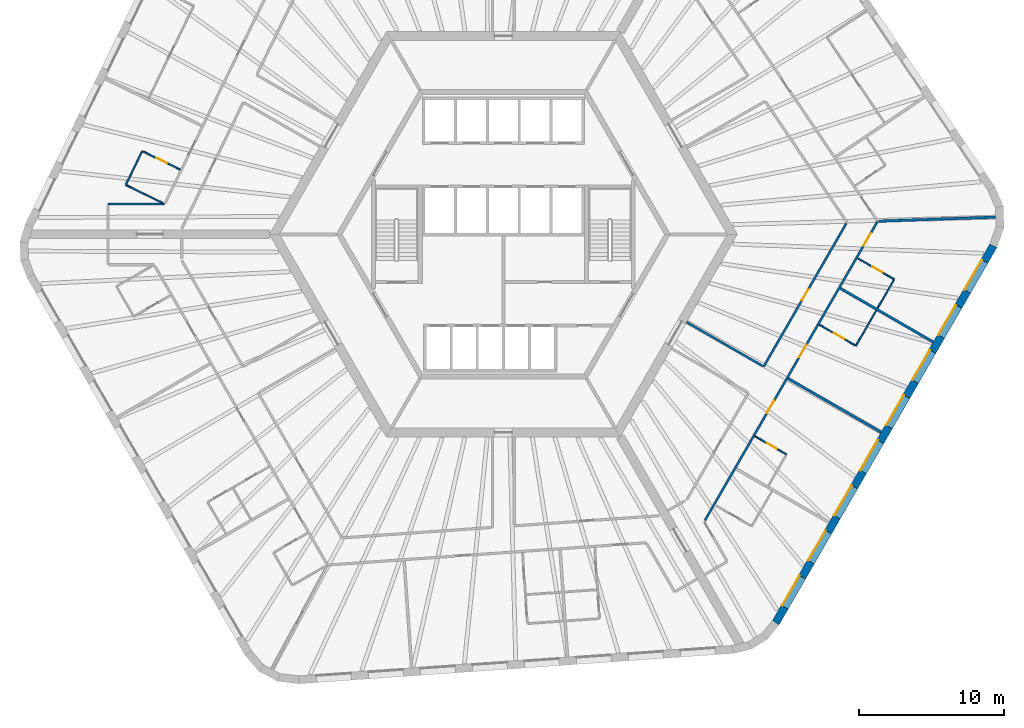
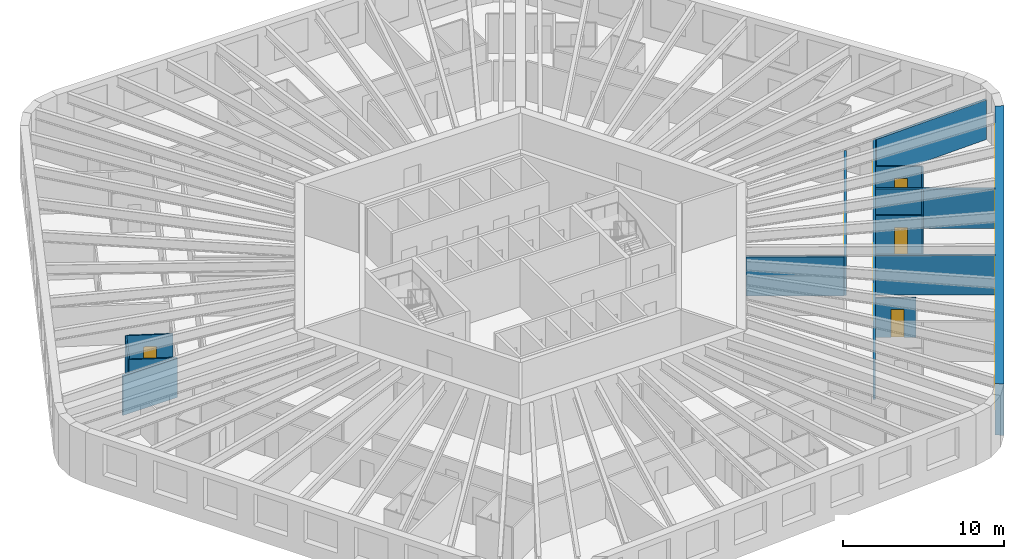
# One storey, part 6 of 11: 16 walls, 8 doors, 8 windows, 16 openings.
"""IFC4 building model written with IfcOpenShell, lengths in metres."""

import ifcopenshell
import ifcopenshell.guid

model = None  # the IFC model being written
_history = None  # IfcOwnerHistory: only IFC2X3 demands one
_inside = {}  # id of a spatial element -> (the spatial element, [elements in it])
_under = {}  # id of a project, library or spatial element -> (it, [spatial elements below it])
_declared = {}  # id of a project -> (the project, [libraries it declares])
_typed = {}  # id of a type object -> (the type object, [elements of that type])
_made_of = {}  # id of a material, layer set ... -> (it, [elements and type objects made of it])


def new_model(schema):
    """Start an empty IFC model of exactly this schema.

    Asked for "IFC4X3", IfcOpenShell would pick the latest addendum, in which some entities
    have other attributes; the version numbers below select the first issue.
    IFC2X3 requires an IfcOwnerHistory on every rooted entity: one is made here for all.
    """
    global model, _history
    if schema == "IFC4X3":
        model = ifcopenshell.file(schema_version=(4, 3, 0, 0))
    else:
        model = ifcopenshell.file(schema=schema)
    _inside.clear()
    _under.clear()
    _declared.clear()
    _typed.clear()
    _made_of.clear()
    _history = None
    if model.schema == "IFC2X3":
        org = make("IfcOrganization", Name="unknown")
        user = make(
            "IfcPersonAndOrganization",
            ThePerson=make("IfcPerson", FamilyName="unknown"),
            TheOrganization=org,
        )
        app = make(
            "IfcApplication",
            ApplicationDeveloper=org,
            Version="unknown",
            ApplicationFullName="unknown",
            ApplicationIdentifier="unknown",
        )
        _history = make(
            "IfcOwnerHistory",
            OwningUser=user,
            OwningApplication=app,
            ChangeAction="ADDED",
            CreationDate=0,
        )
    return model


def make(cls, **values):
    """One entity of the class cls with the attributes given. An attribute that is None is left unset."""
    return model.create_entity(
        cls, **{name: value for name, value in values.items() if value is not None}
    )


def rooted(cls, **values):
    """An entity with a GlobalId (a new one), such as an element, a storey or a relation."""
    return make(cls, GlobalId=ifcopenshell.guid.new(), OwnerHistory=_history, **values)


def si_unit(unit_type, name, prefix=None):
    """IfcSIUnit, for example si_unit("LENGTHUNIT", "METRE", prefix="MILLI")."""
    return make("IfcSIUnit", UnitType=unit_type, Prefix=prefix, Name=name)


def assignment(units):
    """IfcUnitAssignment: the units of a project."""
    return None if units is None else make("IfcUnitAssignment", Units=units)


def point(xyz):
    """IfcCartesianPoint."""
    return None if xyz is None else make("IfcCartesianPoint", Coordinates=xyz)


def direction(xyz):
    """IfcDirection."""
    return None if xyz is None else make("IfcDirection", DirectionRatios=xyz)


def frame(location, z_axis=None, x_axis=None):
    """IfcAxis2Placement3D, a coordinate frame: its origin and axes. An axis left out is left unset."""
    return make(
        "IfcAxis2Placement3D",
        Location=point(location),
        Axis=direction(z_axis),
        RefDirection=direction(x_axis),
    )


def frame_2d(location, x_axis=None):
    """IfcAxis2Placement2D, a coordinate frame in the plane: its origin and x axis."""
    return make(
        "IfcAxis2Placement2D", Location=point(location), RefDirection=direction(x_axis)
    )


def origin():
    """The frame at (0, 0, 0) with its axes left unset."""
    return frame((0.0, 0.0, 0.0))


def place(relative_to, where):
    """IfcLocalPlacement: puts the frame where relative to a parent placement (None: the world)."""
    return make(
        "IfcLocalPlacement", PlacementRelTo=relative_to, RelativePlacement=where
    )


def context(
    kind, dimensions, precision=None, world=None, true_north=None, identifier=None
):
    """IfcGeometricRepresentationContext, for example the 3D "Model" context."""
    return make(
        "IfcGeometricRepresentationContext",
        ContextIdentifier=identifier,
        ContextType=kind,
        CoordinateSpaceDimension=dimensions,
        Precision=precision,
        WorldCoordinateSystem=world,
        TrueNorth=true_north,
    )


def subcontext(parent, identifier, kind, view, scale=None):
    """IfcGeometricRepresentationSubContext, for example "Body" below "Model"."""
    return make(
        "IfcGeometricRepresentationSubContext",
        ContextIdentifier=identifier,
        ContextType=kind,
        ParentContext=parent,
        TargetScale=scale,
        TargetView=view,
    )


def project(units=None, contexts=None):
    """IfcProject with its units and contexts."""
    return rooted(
        "IfcProject",
        Name="project",
        RepresentationContexts=contexts,
        UnitsInContext=assignment(units),
    )


def spatial(cls, under=None, at=None, **own):
    """A site, building, storey or space (cls), placed at a placement, below another one or the project."""
    s = rooted(cls, ObjectPlacement=at, **own)
    if under is not None:
        _under.setdefault(under.id(), (under, []))[1].append(s)
    return s


def polyline(points):
    """IfcPolyline through the points."""
    return make("IfcPolyline", Points=[point(p) for p in points])


def profile(cls, at=None, kind="AREA", **sizes):
    """A parametric profile (cls). Its sizes go by their IFC names, for example OverallWidth=200.0."""
    return make(cls, ProfileType=kind, Position=at, **sizes)


def rectangle(**sizes):
    """IfcRectangleProfileDef."""
    return profile("IfcRectangleProfileDef", **sizes)


def outline(outer, holes=None, kind="AREA"):
    """IfcArbitraryClosedProfileDef: a profile drawn as a closed curve; with holes, ...WithVoids."""
    if holes is None:
        return make("IfcArbitraryClosedProfileDef", ProfileType=kind, OuterCurve=outer)
    return make(
        "IfcArbitraryProfileDefWithVoids",
        ProfileType=kind,
        OuterCurve=outer,
        InnerCurves=holes,
    )


def extrude(swept, where, along, depth):
    """IfcExtrudedAreaSolid: the profile swept, set in the frame where, extruded along a direction by depth."""
    return make(
        "IfcExtrudedAreaSolid",
        SweptArea=swept,
        Position=where,
        ExtrudedDirection=direction(along),
        Depth=depth,
    )


def shape(context_of_items, identifier, shape_type, items):
    """IfcShapeRepresentation: the items that make up one representation, for example the "Body"."""
    return make(
        "IfcShapeRepresentation",
        ContextOfItems=context_of_items,
        RepresentationIdentifier=identifier,
        RepresentationType=shape_type,
        Items=items,
    )


def material(Name=None, Category=None):
    """IfcMaterial."""
    return make("IfcMaterial", Name=Name, Category=Category)


def layer(
    of_material, thickness, ventilated=None, Name=None, Category=None, Priority=None
):
    """IfcMaterialLayer: one layer of a wall or slab, of a material (None: an air gap)."""
    return make(
        "IfcMaterialLayer",
        Material=of_material,
        LayerThickness=thickness,
        IsVentilated=ventilated,
        Name=Name,
        Category=Category,
        Priority=Priority,
    )


def layer_set(layers, Name=None):
    """IfcMaterialLayerSet."""
    return make("IfcMaterialLayerSet", MaterialLayers=layers, LayerSetName=Name)


def made_of(thing, what):
    """Note that an element or type object is made of a material, layer set ...; save() writes the relation."""
    if what is not None:
        _made_of.setdefault(what.id(), (what, []))[1].append(thing)
    return thing


def type_object(cls, material=None, **own):
    """A type object (cls), such as IfcWallType, which elements share."""
    return made_of(rooted(cls, **own), material)


def element(
    cls,
    number,
    at=None,
    inside=None,
    cuts=None,
    type_object=None,
    material=None,
    context=None,
    identifier="Body",
    shape_type=None,
    held_by="IfcProductDefinitionShape",
    body=None,
    shapes=None,
    **own,
):
    """One element of the class cls, such as IfcWall. Its Tag is "e" and its number.

    at: its placement. inside: the storey or other place that contains it. cuts: it is an
    opening in that element (IfcRelVoidsElement). A single representation is given by context,
    identifier, shape_type and body (its items); several are given by shapes. held_by: the class
    of the entity that holds the representations. save() writes the other relations.
    """
    e = rooted(cls, Tag="e%d" % number, ObjectPlacement=at, **own)
    if body is not None:
        shapes = [shape(context, identifier, shape_type, body)]
    if shapes is not None:
        e.Representation = make(held_by, Representations=shapes)
    if inside is not None:
        _inside.setdefault(inside.id(), (inside, []))[1].append(e)
    if cuts is not None:
        rooted(
            "IfcRelVoidsElement", RelatingBuildingElement=cuts, RelatedOpeningElement=e
        )
    if type_object is not None:
        _typed.setdefault(type_object.id(), (type_object, []))[1].append(e)
    return made_of(e, material)


def fill(opening, filler):
    """IfcRelFillsElement: the door or window that sits in an opening."""
    return rooted(
        "IfcRelFillsElement",
        RelatingOpeningElement=opening,
        RelatedBuildingElement=filler,
    )


def aggregate(whole, parts):
    """IfcRelAggregates: a whole, such as a stair, and the parts it consists of."""
    return rooted("IfcRelAggregates", RelatingObject=whole, RelatedObjects=parts)


def save(model, path):
    """Write the relations noted so far, then the file.

    IfcRelAggregates (storeys below a building ...), IfcRelContainedInSpatialStructure (elements
    in a storey), IfcRelDefinesByType, IfcRelAssociatesMaterial and IfcRelDeclares: one each for
    every whole, place, type object, material and project.
    """
    for whole, parts in _under.values():
        aggregate(whole, parts)
    for where, things in _inside.values():
        rooted(
            "IfcRelContainedInSpatialStructure",
            RelatedElements=things,
            RelatingStructure=where,
        )
    for kind, things in _typed.values():
        rooted("IfcRelDefinesByType", RelatedObjects=things, RelatingType=kind)
    for what, things in _made_of.values():
        rooted("IfcRelAssociatesMaterial", RelatedObjects=things, RelatingMaterial=what)
    for by, libraries in _declared.values():
        rooted("IfcRelDeclares", RelatingContext=by, RelatedDefinitions=libraries)
    model.write(path)


model = new_model("IFC4")

# Units and contexts
model_context = context("Model", 3, precision=1e-05, world=origin(), true_north=direction((0.0, 1.0)))
body_context = subcontext(model_context, "Body", "Model", "MODEL_VIEW")
ifc_project = project(units=[si_unit("LENGTHUNIT", "METRE"), si_unit("AREAUNIT", "SQUARE_METRE"), si_unit("VOLUMEUNIT", "CUBIC_METRE"), si_unit("PLANEANGLEUNIT", "RADIAN"), si_unit("MASSUNIT", "GRAM", prefix="KILO")], contexts=[model_context])

# Site, building, storey
site_placement = place(None, origin())
site = spatial("IfcSite", under=ifc_project, at=site_placement, CompositionType="ELEMENT")
building_placement = place(site_placement, origin())
building = spatial("IfcBuilding", under=site, at=building_placement, Name="Tarnside Tower", CompositionType="ELEMENT")
storey_placement = place(building_placement, frame((0.0, 0.0, 45.300048828125)))
storey = spatial("IfcBuildingStorey", under=building, at=storey_placement, Name="L08", CompositionType="ELEMENT", Elevation=45.300048828125)

# Walls
ifc_material_1 = material(Name="Gypsum board partition on steel studs", Category="steel")
ifc_layer_1 = layer(ifc_material_1, 0.10009765625)
ifc_layer_set_1 = layer_set([ifc_layer_1], Name="Bathroom wall 100")
wall_type_1 = type_object("IfcWallType", Name="Bathroom wall 100", PredefinedType="PARTITIONING", material=ifc_layer_set_1)
wall_1_placement = place(storey_placement, frame((-23.551025390625, 2.175048828125, 0.0), z_axis=(0.0, 0.0, 1.0), x_axis=(-0.89881903386, 0.438319910991, 0.0)))
element("IfcWall", 1, at=wall_1_placement, inside=storey, type_object=wall_type_1, Name="Bathroom wall 01097", PredefinedType="PARTITIONING", context=body_context, shape_type="SweptSolid", body=[
    extrude(rectangle(XDim=2.828857421875, YDim=0.10009765625, at=frame_2d((1.41455078125, 0.0))), origin(), (0.0, 0.0, 1.0), 2.98779296875),
])
wall_2_placement = place(storey_placement, frame((-26.07177734375, 3.4599609375, 0.0), z_axis=(0.0, 0.0, 1.0), x_axis=(0.438306676818, 0.898825487543, 0.0)))
element("IfcWall", 2, at=wall_2_placement, inside=storey, type_object=wall_type_1, Name="Bathroom wall 01098", PredefinedType="PARTITIONING", context=body_context, shape_type="SweptSolid", body=[
    extrude(rectangle(XDim=2.550048828125, YDim=0.10009765625, at=frame_2d((1.27490234375, 0.0))), origin(), (0.0, 0.0, 1.0), 2.98779296875),
])

# Wall, opening, door
wall_3_placement = place(storey_placement, frame((-24.908935546875, 5.72998046875, 0.0), z_axis=(0.0, 0.0, 1.0), x_axis=(0.898799457159, -0.438360052708, 0.0)))
wall_3 = element("IfcWall", 3, at=wall_3_placement, inside=storey, type_object=wall_type_1, Name="Bathroom wall 01099", PredefinedType="PARTITIONING", context=body_context, shape_type="SweptSolid", body=[
    extrude(rectangle(XDim=2.875, YDim=0.10009765625, at=frame_2d((1.4375, 0.0))), origin(), (0.0, 0.0, 1.0), 2.98779296875),
])
opening_1_placement = place(wall_3_placement, frame((1.050048828125, 0.0, 0.0)))
opening_1 = element("IfcOpeningElement", 4, at=opening_1_placement, cuts=wall_3, Name="Opening D-B1", PredefinedType="OPENING", context=body_context, shape_type="SweptSolid", body=[
    extrude(rectangle(XDim=0.800048828125, YDim=2.10009765625, at=frame_2d((0.39990234375, 1.050048828125))), frame((0.0, 0.06005859375, 0.0), z_axis=(0.0, -1.0, 0.0), x_axis=(1.0, 0.0, 0.0)), (0.0, 0.0, 1.0), 0.1201171875),
])
ifc_material_2 = material(Name="Timber door leaf", Category="wood")
door_type_1 = type_object("IfcDoorType", Name="Bathroom door 800", OperationType="NOTDEFINED", PredefinedType="DOOR", material=ifc_material_2)
door_1_placement = place(opening_1_placement, origin())
door_1 = element("IfcDoor", 5, at=door_1_placement, inside=storey, type_object=door_type_1, Name="Bathroom door 01012", OperationType="SINGLE_SWING_RIGHT", OverallHeight=2.10009765625, OverallWidth=0.800048828125, PredefinedType="DOOR", context=body_context, shape_type="SweptSolid", body=[
    extrude(rectangle(XDim=0.800048828125, YDim=2.10009765625, at=frame_2d((0.39990234375, 1.050048828125))), frame((0.0, 0.02490234375, 0.0), z_axis=(0.0, -1.0, 0.0), x_axis=(1.0, 0.0, 0.0)), (0.0, 0.0, 1.0), 0.050048828125),
])
fill(opening_1, door_1)

wall_4_placement = place(storey_placement, frame((17.379638671875, -13.947509765625, 0.0), z_axis=(0.0, 0.0, 1.0), x_axis=(0.866039067339, -0.499976333282, 0.0)))
wall_4 = element("IfcWall", 6, at=wall_4_placement, inside=storey, type_object=wall_type_1, Name="Bathroom wall 01132", PredefinedType="PARTITIONING", context=body_context, shape_type="SweptSolid", body=[
    extrude(rectangle(XDim=2.52490234375, YDim=0.10009765625, at=frame_2d((1.262451171875, 0.0))), origin(), (0.0, 0.0, 1.0), 2.98779296875),
])
opening_2_placement = place(wall_4_placement, frame((0.955078125, 0.0, 0.0)))
opening_2 = element("IfcOpeningElement", 7, at=opening_2_placement, cuts=wall_4, Name="Opening D-B1", PredefinedType="OPENING", context=body_context, shape_type="SweptSolid", body=[
    extrude(rectangle(XDim=0.800048828125, YDim=2.10009765625, at=frame_2d((0.39990234375, 1.050048828125))), frame((0.0, 0.06005859375, 0.0), z_axis=(0.0, -1.0, 0.0), x_axis=(1.0, 0.0, 0.0)), (0.0, 0.0, 1.0), 0.1201171875),
])
door_2_placement = place(opening_2_placement, origin())
door_2 = element("IfcDoor", 8, at=door_2_placement, inside=storey, type_object=door_type_1, Name="Bathroom door 01030", OperationType="SINGLE_SWING_LEFT", OverallHeight=2.10009765625, OverallWidth=0.800048828125, PredefinedType="DOOR", context=body_context, shape_type="SweptSolid", body=[
    extrude(rectangle(XDim=0.800048828125, YDim=2.10009765625, at=frame_2d((0.39990234375, 1.050048828125))), frame((0.0, 0.02490234375, 0.0), z_axis=(0.0, -1.0, 0.0), x_axis=(1.0, 0.0, 0.0)), (0.0, 0.0, 1.0), 0.050048828125),
])
fill(opening_2, door_2)

# Wall
wall_5_placement = place(storey_placement, frame((25.767822265625, -5.268798828125, 0.0), z_axis=(0.0, 0.0, 1.0), x_axis=(-0.499998209175, -0.866026437715, 0.0)))
element("IfcWall", 9, at=wall_5_placement, inside=storey, type_object=wall_type_1, Name="Bathroom wall 01135", PredefinedType="PARTITIONING", context=body_context, shape_type="SweptSolid", body=[
    extrude(rectangle(XDim=2.81005859375, YDim=0.10009765625, at=frame_2d((1.405029296875, 0.0))), origin(), (0.0, 0.0, 1.0), 2.98779296875),
])

# Wall, opening, door
wall_6_placement = place(storey_placement, frame((24.319580078125, -7.67724609375, 0.0), z_axis=(0.0, 0.0, 1.0), x_axis=(-0.866018712932, 0.500011588718, 0.0)))
wall_6 = element("IfcWall", 10, at=wall_6_placement, inside=storey, type_object=wall_type_1, Name="Bathroom wall 01136", PredefinedType="PARTITIONING", context=body_context, shape_type="SweptSolid", body=[
    extrude(rectangle(XDim=2.875, YDim=0.10009765625, at=frame_2d((1.4375, 0.0))), origin(), (0.0, 0.0, 1.0), 2.98779296875),
])
opening_3_placement = place(wall_6_placement, frame((0.89990234375, 0.0, 0.0)))
opening_3 = element("IfcOpeningElement", 11, at=opening_3_placement, cuts=wall_6, Name="Opening D-B1", PredefinedType="OPENING", context=body_context, shape_type="SweptSolid", body=[
    extrude(rectangle(XDim=0.800048828125, YDim=2.10009765625, at=frame_2d((0.39990234375, 1.050048828125))), frame((0.0, 0.06005859375, 0.0), z_axis=(0.0, -1.0, 0.0), x_axis=(1.0, 0.0, 0.0)), (0.0, 0.0, 1.0), 0.1201171875),
])
door_3_placement = place(opening_3_placement, origin())
door_3 = element("IfcDoor", 12, at=door_3_placement, inside=storey, type_object=door_type_1, Name="Bathroom door 01032", OperationType="SINGLE_SWING_RIGHT", OverallHeight=2.10009765625, OverallWidth=0.800048828125, PredefinedType="DOOR", context=body_context, shape_type="SweptSolid", body=[
    extrude(rectangle(XDim=0.800048828125, YDim=2.10009765625, at=frame_2d((0.39990234375, 1.050048828125))), frame((0.0, 0.02490234375, 0.0), z_axis=(0.0, -1.0, 0.0), x_axis=(1.0, 0.0, 0.0)), (0.0, 0.0, 1.0), 0.050048828125),
])
fill(opening_3, door_3)

wall_7_placement = place(storey_placement, frame((24.479736328125, -1.64990234375, 0.0), z_axis=(0.0, 0.0, 1.0), x_axis=(0.866046596414, -0.499963291492, 0.0)))
wall_7 = element("IfcWall", 13, at=wall_7_placement, inside=storey, type_object=wall_type_1, Name="Bathroom wall 01139", PredefinedType="PARTITIONING", context=body_context, shape_type="SweptSolid", body=[
    extrude(rectangle(XDim=2.925048828125, YDim=0.10009765625, at=frame_2d((1.46240234375, 0.0))), origin(), (0.0, 0.0, 1.0), 2.98779296875),
])
opening_4_placement = place(wall_7_placement, frame((1.175048828125, 0.0, 0.0)))
opening_4 = element("IfcOpeningElement", 14, at=opening_4_placement, cuts=wall_7, Name="Opening D-B1", PredefinedType="OPENING", context=body_context, shape_type="SweptSolid", body=[
    extrude(rectangle(XDim=0.800048828125, YDim=2.10009765625, at=frame_2d((0.39990234375, 1.050048828125))), frame((0.0, 0.06005859375, 0.0), z_axis=(0.0, -1.0, 0.0), x_axis=(1.0, 0.0, 0.0)), (0.0, 0.0, 1.0), 0.1201171875),
])
door_4_placement = place(opening_4_placement, origin())
door_4 = element("IfcDoor", 15, at=door_4_placement, inside=storey, type_object=door_type_1, Name="Bathroom door 01034", OperationType="SINGLE_SWING_LEFT", OverallHeight=2.10009765625, OverallWidth=0.800048828125, PredefinedType="DOOR", context=body_context, shape_type="SweptSolid", body=[
    extrude(rectangle(XDim=0.800048828125, YDim=2.10009765625, at=frame_2d((0.39990234375, 1.050048828125))), frame((0.0, 0.02490234375, 0.0), z_axis=(0.0, -1.0, 0.0), x_axis=(1.0, 0.0, 0.0)), (0.0, 0.0, 1.0), 0.050048828125),
])
fill(opening_4, door_4)

# Walls
wall_8_placement = place(storey_placement, frame((26.98779296875, -3.15576171875, 0.0), z_axis=(0.0, 0.0, 1.0), x_axis=(-0.4999967785, -0.866027263711, 0.0)))
element("IfcWall", 16, at=wall_8_placement, inside=storey, type_object=wall_type_1, Name="Bathroom wall 01140", PredefinedType="PARTITIONING", context=body_context, shape_type="SweptSolid", body=[
    extrude(rectangle(XDim=2.259765625, YDim=0.10009765625, at=frame_2d((1.1298828125, 0.0))), origin(), (0.0, 0.0, 1.0), 2.98779296875),
])
ifc_layer_2 = layer(ifc_material_1, 0.14990234375)
ifc_layer_set_2 = layer_set([ifc_layer_2], Name="Corridor wall 150 EI 60")
wall_type_2 = type_object("IfcWallType", Name="Corridor wall 150 EI 60", PredefinedType="PARTITIONING", material=ifc_layer_set_2)
wall_9_placement = place(storey_placement, frame((-23.3974609375, 2.10009765625, 0.0), z_axis=(0.0, 0.0, 1.0), x_axis=(-1.0, 0.0, 0.0)))
element("IfcWall", 17, at=wall_9_placement, inside=storey, type_object=wall_type_2, Name="Corridor wall 01012", PredefinedType="PARTITIONING", context=body_context, shape_type="SweptSolid", body=[
    extrude(rectangle(XDim=3.9228515625, YDim=0.14990234375, at=frame_2d((1.96142578125, 0.0))), origin(), (0.0, 0.0, 1.0), 2.98779296875),
])

# Wall, openings, doors
wall_10_placement = place(storey_placement, frame((13.928466796875, -19.77490234375, 0.0), z_axis=(0.0, 0.0, 1.0), x_axis=(0.50000450071, 0.866022805283, 0.0)))
wall_10 = element("IfcWall", 18, at=wall_10_placement, inside=storey, type_object=wall_type_2, Name="Corridor wall 01051", PredefinedType="PARTITIONING", context=body_context, shape_type="SweptSolid", body=[
    extrude(rectangle(XDim=23.877197265625, YDim=0.14990234375, at=frame_2d((11.9384765625, 0.0))), origin(), (0.0, 0.0, 1.0), 2.98779296875),
])
opening_5_placement = place(wall_10_placement, frame((8.572509765625, 0.0, 0.0)))
opening_5 = element("IfcOpeningElement", 19, at=opening_5_placement, cuts=wall_10, Name="Opening D-E1", PredefinedType="OPENING", context=body_context, shape_type="SweptSolid", body=[
    extrude(rectangle(XDim=1.0, YDim=2.10009765625, at=frame_2d((0.5, 1.050048828125))), frame((0.0, 0.0849609375, 0.0), z_axis=(0.0, -1.0, 0.0), x_axis=(1.0, 0.0, 0.0)), (0.0, 0.0, 1.0), 0.169921875),
])
opening_6_placement = place(wall_10_placement, frame((13.0224609375, 0.0, 0.0)))
opening_6 = element("IfcOpeningElement", 20, at=opening_6_placement, cuts=wall_10, Name="Opening D-E1", PredefinedType="OPENING", context=body_context, shape_type="SweptSolid", body=[
    extrude(rectangle(XDim=1.0, YDim=2.10009765625, at=frame_2d((0.5, 1.050048828125))), frame((0.0, 0.0849609375, 0.0), z_axis=(0.0, -1.0, 0.0), x_axis=(1.0, 0.0, 0.0)), (0.0, 0.0, 1.0), 0.169921875),
])
opening_7_placement = place(wall_10_placement, frame((21.9248046875, 0.0, 0.0)))
opening_7 = element("IfcOpeningElement", 21, at=opening_7_placement, cuts=wall_10, Name="Opening D-E1", PredefinedType="OPENING", context=body_context, shape_type="SweptSolid", body=[
    extrude(rectangle(XDim=1.0, YDim=2.10009765625, at=frame_2d((0.5, 1.050048828125))), frame((0.0, 0.0849609375, 0.0), z_axis=(0.0, -1.0, 0.0), x_axis=(1.0, 0.0, 0.0)), (0.0, 0.0, 1.0), 0.169921875),
])
door_type_2 = type_object("IfcDoorType", Name="Unit entrance door 1000 FD30S", OperationType="NOTDEFINED", PredefinedType="DOOR", material=ifc_material_2)
door_5_placement = place(opening_5_placement, origin())
door_5 = element("IfcDoor", 22, at=door_5_placement, inside=storey, type_object=door_type_2, Name="Unit door 01029", OperationType="SINGLE_SWING_LEFT", OverallHeight=2.10009765625, OverallWidth=1.0, PredefinedType="DOOR", context=body_context, shape_type="SweptSolid", body=[
    extrude(rectangle(XDim=1.0, YDim=2.10009765625, at=frame_2d((0.5, 1.050048828125))), frame((0.0, 0.02490234375, 0.0), z_axis=(0.0, -1.0, 0.0), x_axis=(1.0, 0.0, 0.0)), (0.0, 0.0, 1.0), 0.050048828125),
])
fill(opening_5, door_5)
door_6_placement = place(opening_6_placement, origin())
door_6 = element("IfcDoor", 23, at=door_6_placement, inside=storey, type_object=door_type_2, Name="Unit door 01031", OperationType="SINGLE_SWING_RIGHT", OverallHeight=2.10009765625, OverallWidth=1.0, PredefinedType="DOOR", context=body_context, shape_type="SweptSolid", body=[
    extrude(rectangle(XDim=1.0, YDim=2.10009765625, at=frame_2d((0.5, 1.050048828125))), frame((0.0, 0.02490234375, 0.0), z_axis=(0.0, -1.0, 0.0), x_axis=(1.0, 0.0, 0.0)), (0.0, 0.0, 1.0), 0.050048828125),
])
fill(opening_6, door_6)
door_7_placement = place(opening_7_placement, origin())
door_7 = element("IfcDoor", 24, at=door_7_placement, inside=storey, type_object=door_type_2, Name="Unit door 01033", OperationType="SINGLE_SWING_RIGHT", OverallHeight=2.10009765625, OverallWidth=1.0, PredefinedType="DOOR", context=body_context, shape_type="SweptSolid", body=[
    extrude(rectangle(XDim=1.0, YDim=2.10009765625, at=frame_2d((0.5, 1.050048828125))), frame((0.0, 0.02490234375, 0.0), z_axis=(0.0, -1.0, 0.0), x_axis=(1.0, 0.0, 0.0)), (0.0, 0.0, 1.0), 0.050048828125),
])
fill(opening_7, door_7)

# Wall, opening, door
wall_11_placement = place(storey_placement, frame((23.704345703125, 0.757080078125, 0.0), z_axis=(0.0, 0.0, 1.0), x_axis=(-0.500010297365, -0.866019458516, 0.0)))
wall_11 = element("IfcWall", 25, at=wall_11_placement, inside=storey, type_object=wall_type_2, Name="Corridor wall 01070", PredefinedType="PARTITIONING", context=body_context, shape_type="SweptSolid", body=[
    extrude(rectangle(XDim=11.428955078125, YDim=0.14990234375, at=frame_2d((5.71435546875, 0.0))), origin(), (0.0, 0.0, 1.0), 2.98779296875),
])
opening_8_placement = place(wall_11_placement, frame((5.264404296875, 0.0, 0.0)))
opening_8 = element("IfcOpeningElement", 26, at=opening_8_placement, cuts=wall_11, Name="Opening D-S1", PredefinedType="OPENING", context=body_context, shape_type="SweptSolid", body=[
    extrude(rectangle(XDim=0.89990234375, YDim=2.10009765625, at=frame_2d((0.449951171875, 1.050048828125))), frame((0.0, 0.0849609375, 0.0), z_axis=(0.0, -1.0, 0.0), x_axis=(1.0, 0.0, 0.0)), (0.0, 0.0, 1.0), 0.169921875),
])
door_type_3 = type_object("IfcDoorType", Name="Service room door 900 FD30S", OperationType="NOTDEFINED", PredefinedType="DOOR", material=ifc_material_2)
door_8_placement = place(opening_8_placement, origin())
door_8 = element("IfcDoor", 27, at=door_8_placement, inside=storey, type_object=door_type_3, Name="Service door 01048", OperationType="SINGLE_SWING_LEFT", OverallHeight=2.10009765625, OverallWidth=0.89990234375, PredefinedType="DOOR", context=body_context, shape_type="SweptSolid", body=[
    extrude(rectangle(XDim=0.89990234375, YDim=2.10009765625, at=frame_2d((0.449951171875, 1.050048828125))), frame((0.0, 0.02490234375, 0.0), z_axis=(0.0, -1.0, 0.0), x_axis=(1.0, 0.0, 0.0)), (0.0, 0.0, 1.0), 0.050048828125),
])
fill(opening_8, door_8)

# Walls
wall_12_placement = place(storey_placement, frame((17.9248046875, -9.103271484375, 0.0), z_axis=(0.0, 0.0, 1.0), x_axis=(-0.866013586754, 0.500020467139, 0.0)))
element("IfcWall", 28, at=wall_12_placement, inside=storey, type_object=wall_type_2, Name="Corridor wall 01071", PredefinedType="PARTITIONING", context=body_context, shape_type="SweptSolid", body=[
    extrude(rectangle(XDim=6.074951171875, YDim=0.14990234375, at=frame_2d((3.03759765625, 0.0))), origin(), (0.0, 0.0, 1.0), 2.98779296875),
])
ifc_layer_3 = layer(ifc_material_1, 0.179931640625)
ifc_layer_set_3 = layer_set([ifc_layer_3], Name="Demising wall 180 EI 60")
wall_type_3 = type_object("IfcWallType", Name="Demising wall 180 EI 60", PredefinedType="PARTITIONING", material=ifc_layer_set_3)
for number, where, z_axis, x_axis, name in (
    (29, (26.10986328125, -13.67626953125, 0.0), (0.0, 0.0, 1.0), (-0.866014745021, 0.500018461065, 0.0), "Demising wall 01134"),
    (30, (29.7099609375, -7.44091796875, 0.0), (0.0, 0.0, 1.0), (-0.866014745021, 0.500018461065, 0.0), "Demising wall 01137"),
):
    element("IfcWall", number, at=place(storey_placement, frame(where, z_axis=z_axis, x_axis=x_axis)), inside=storey, type_object=wall_type_3, Name=name, PredefinedType="PARTITIONING", context=body_context, shape_type="SweptSolid", body=[
        extrude(rectangle(XDim=7.425048828125, YDim=0.179931640625, at=frame_2d((3.71240234375, 0.0))), origin(), (0.0, 0.0, 1.0), 2.98779296875),
    ])
wall_13_placement = place(storey_placement, frame((34.0234375, 1.188232421875, 0.0), z_axis=(0.0, 0.0, 1.0), x_axis=(-0.999390818315, -0.03489974594, 0.0)))
element("IfcWall", 31, at=wall_13_placement, inside=storey, type_object=wall_type_3, Name="Demising wall 01141", PredefinedType="PARTITIONING", context=body_context, shape_type="SweptSolid", body=[
    extrude(rectangle(XDim=8.07275390625, YDim=0.179931640625, at=frame_2d((4.036376953125, 0.0))), origin(), (0.0, 0.0, 1.0), 2.98779296875),
])

# Wall, openings, windows
ifc_material_3 = material(Name="Facing brick", Category="masonry")
ifc_layer_4 = layer(ifc_material_3, 0.10205078125)
ifc_material_4 = material(Name="Concrete C60/75 precast", Category="concrete")
ifc_layer_5 = layer(ifc_material_4, 0.347900390625)
ifc_material_5 = material(Name="Mineral wool insulation")
ifc_layer_6 = layer(ifc_material_5, 0.10009765625)
ifc_layer_set_4 = layer_set([ifc_layer_4, ifc_layer_5, ifc_layer_6], Name="Tube wall 550 brick faced")
wall_type_4 = type_object("IfcWallType", Name="Tube wall 550 brick faced", PredefinedType="SOLIDWALL", material=ifc_layer_set_4)
wall_14_placement = place(storey_placement, frame((18.830322265625, -26.834716796875, -0.150146484375), z_axis=(0.0, 0.0, 1.0), x_axis=(0.500003800416, 0.866023209602, 0.0)))
wall_14 = element("IfcWall", 32, at=wall_14_placement, inside=storey, type_object=wall_type_4, Name="Tube wall L08 F5 flush 16", PredefinedType="SOLIDWALL", context=body_context, shape_type="SweptSolid", body=[
    extrude(outline(polyline([(-0.0224609375, -0.27490234375), (30.0966796875, -0.27490234375), (30.04541015625, 0.27490234375), (0.0224609375, 0.27490234375), (-0.0224609375, -0.27490234375)])), origin(), (0.0, 0.0, 1.0), 3.900146484375),
])
opening_9_placement = place(wall_14_placement, frame((1.235595703125, 0.0, 1.050048828125)))
opening_9 = element("IfcOpeningElement", 33, at=opening_9_placement, cuts=wall_14, Name="Opening WH", PredefinedType="OPENING", context=body_context, shape_type="SweptSolid", body=[
    extrude(rectangle(XDim=2.39990234375, YDim=2.39990234375, at=frame_2d((1.199951171875, 1.199951171875))), frame((0.0, 0.28515625, 0.0), z_axis=(0.0, -1.0, 0.0), x_axis=(1.0, 0.0, 0.0)), (0.0, 0.0, 1.0), 0.570068359375),
])
opening_10_placement = place(wall_14_placement, frame((4.83544921875, 0.0, 1.050048828125)))
opening_10 = element("IfcOpeningElement", 34, at=opening_10_placement, cuts=wall_14, Name="Opening WH", PredefinedType="OPENING", context=body_context, shape_type="SweptSolid", body=[
    extrude(rectangle(XDim=2.39990234375, YDim=2.39990234375, at=frame_2d((1.199951171875, 1.199951171875))), frame((0.0, 0.28515625, 0.0), z_axis=(0.0, -1.0, 0.0), x_axis=(1.0, 0.0, 0.0)), (0.0, 0.0, 1.0), 0.570068359375),
])
opening_11_placement = place(wall_14_placement, frame((8.435546875, 0.0, 1.050048828125)))
opening_11 = element("IfcOpeningElement", 35, at=opening_11_placement, cuts=wall_14, Name="Opening WH", PredefinedType="OPENING", context=body_context, shape_type="SweptSolid", body=[
    extrude(rectangle(XDim=2.39990234375, YDim=2.39990234375, at=frame_2d((1.199951171875, 1.199951171875))), frame((0.0, 0.28515625, 0.0), z_axis=(0.0, -1.0, 0.0), x_axis=(1.0, 0.0, 0.0)), (0.0, 0.0, 1.0), 0.570068359375),
])
opening_12_placement = place(wall_14_placement, frame((12.035400390625, 0.0, 1.050048828125)))
opening_12 = element("IfcOpeningElement", 36, at=opening_12_placement, cuts=wall_14, Name="Opening WH", PredefinedType="OPENING", context=body_context, shape_type="SweptSolid", body=[
    extrude(rectangle(XDim=2.39990234375, YDim=2.39990234375, at=frame_2d((1.199951171875, 1.199951171875))), frame((0.0, 0.28515625, 0.0), z_axis=(0.0, -1.0, 0.0), x_axis=(1.0, 0.0, 0.0)), (0.0, 0.0, 1.0), 0.570068359375),
])
opening_13_placement = place(wall_14_placement, frame((15.635498046875, 0.0, 1.050048828125)))
opening_13 = element("IfcOpeningElement", 37, at=opening_13_placement, cuts=wall_14, Name="Opening WH", PredefinedType="OPENING", context=body_context, shape_type="SweptSolid", body=[
    extrude(rectangle(XDim=2.39990234375, YDim=2.39990234375, at=frame_2d((1.199951171875, 1.199951171875))), frame((0.0, 0.28515625, 0.0), z_axis=(0.0, -1.0, 0.0), x_axis=(1.0, 0.0, 0.0)), (0.0, 0.0, 1.0), 0.570068359375),
])
opening_14_placement = place(wall_14_placement, frame((19.235595703125, 0.0, 1.050048828125)))
opening_14 = element("IfcOpeningElement", 38, at=opening_14_placement, cuts=wall_14, Name="Opening WH", PredefinedType="OPENING", context=body_context, shape_type="SweptSolid", body=[
    extrude(rectangle(XDim=2.39990234375, YDim=2.39990234375, at=frame_2d((1.199951171875, 1.199951171875))), frame((0.0, 0.28515625, 0.0), z_axis=(0.0, -1.0, 0.0), x_axis=(1.0, 0.0, 0.0)), (0.0, 0.0, 1.0), 0.570068359375),
])
opening_15_placement = place(wall_14_placement, frame((22.83544921875, 0.0, 1.050048828125)))
opening_15 = element("IfcOpeningElement", 39, at=opening_15_placement, cuts=wall_14, Name="Opening WH", PredefinedType="OPENING", context=body_context, shape_type="SweptSolid", body=[
    extrude(rectangle(XDim=2.39990234375, YDim=2.39990234375, at=frame_2d((1.199951171875, 1.199951171875))), frame((0.0, 0.28515625, 0.0), z_axis=(0.0, -1.0, 0.0), x_axis=(1.0, 0.0, 0.0)), (0.0, 0.0, 1.0), 0.570068359375),
])
opening_16_placement = place(wall_14_placement, frame((26.435546875, 0.0, 1.050048828125)))
opening_16 = element("IfcOpeningElement", 40, at=opening_16_placement, cuts=wall_14, Name="Opening WH", PredefinedType="OPENING", context=body_context, shape_type="SweptSolid", body=[
    extrude(rectangle(XDim=2.39990234375, YDim=2.39990234375, at=frame_2d((1.199951171875, 1.199951171875))), frame((0.0, 0.28515625, 0.0), z_axis=(0.0, -1.0, 0.0), x_axis=(1.0, 0.0, 0.0)), (0.0, 0.0, 1.0), 0.570068359375),
])
ifc_material_6 = material(Name="Aluminium-framed double glazing", Category="aluminium")
window_type = type_object("IfcWindowType", Name="Hotel window 2400 x 2400", PartitioningType="DOUBLE_PANEL_VERTICAL", PredefinedType="WINDOW", material=ifc_material_6)
window_1_placement = place(opening_9_placement, frame((0.0, 0.205078125, 0.0)))
window_1 = element("IfcWindow", 41, at=window_1_placement, inside=storey, type_object=window_type, Name="E.WN.L08.F5.00", OverallHeight=2.39990234375, OverallWidth=2.39990234375, PartitioningType="DOUBLE_PANEL_VERTICAL", PredefinedType="WINDOW", context=body_context, shape_type="SweptSolid", body=[
    extrude(rectangle(XDim=2.39990234375, YDim=2.39990234375, at=frame_2d((1.199951171875, 1.199951171875))), frame((0.0, 0.030029296875, 0.0), z_axis=(0.0, -1.0, 0.0), x_axis=(1.0, 0.0, 0.0)), (0.0, 0.0, 1.0), 0.06005859375),
])
fill(opening_9, window_1)
window_2_placement = place(opening_10_placement, frame((0.0, 0.205078125, 0.0)))
window_2 = element("IfcWindow", 42, at=window_2_placement, inside=storey, type_object=window_type, Name="E.WN.L08.F5.01", OverallHeight=2.39990234375, OverallWidth=2.39990234375, PartitioningType="DOUBLE_PANEL_VERTICAL", PredefinedType="WINDOW", context=body_context, shape_type="SweptSolid", body=[
    extrude(rectangle(XDim=2.39990234375, YDim=2.39990234375, at=frame_2d((1.199951171875, 1.199951171875))), frame((0.0, 0.030029296875, 0.0), z_axis=(0.0, -1.0, 0.0), x_axis=(1.0, 0.0, 0.0)), (0.0, 0.0, 1.0), 0.06005859375),
])
fill(opening_10, window_2)
window_3_placement = place(opening_11_placement, frame((0.0, 0.205078125, 0.0)))
window_3 = element("IfcWindow", 43, at=window_3_placement, inside=storey, type_object=window_type, Name="E.WN.L08.F5.02", OverallHeight=2.39990234375, OverallWidth=2.39990234375, PartitioningType="DOUBLE_PANEL_VERTICAL", PredefinedType="WINDOW", context=body_context, shape_type="SweptSolid", body=[
    extrude(rectangle(XDim=2.39990234375, YDim=2.39990234375, at=frame_2d((1.199951171875, 1.199951171875))), frame((0.0, 0.030029296875, 0.0), z_axis=(0.0, -1.0, 0.0), x_axis=(1.0, 0.0, 0.0)), (0.0, 0.0, 1.0), 0.06005859375),
])
fill(opening_11, window_3)
window_4_placement = place(opening_12_placement, frame((0.0, 0.205078125, 0.0)))
window_4 = element("IfcWindow", 44, at=window_4_placement, inside=storey, type_object=window_type, Name="E.WN.L08.F5.03", OverallHeight=2.39990234375, OverallWidth=2.39990234375, PartitioningType="DOUBLE_PANEL_VERTICAL", PredefinedType="WINDOW", context=body_context, shape_type="SweptSolid", body=[
    extrude(rectangle(XDim=2.39990234375, YDim=2.39990234375, at=frame_2d((1.199951171875, 1.199951171875))), frame((0.0, 0.030029296875, 0.0), z_axis=(0.0, -1.0, 0.0), x_axis=(1.0, 0.0, 0.0)), (0.0, 0.0, 1.0), 0.06005859375),
])
fill(opening_12, window_4)
window_5_placement = place(opening_13_placement, frame((0.0, 0.205078125, 0.0)))
window_5 = element("IfcWindow", 45, at=window_5_placement, inside=storey, type_object=window_type, Name="E.WN.L08.F5.04", OverallHeight=2.39990234375, OverallWidth=2.39990234375, PartitioningType="DOUBLE_PANEL_VERTICAL", PredefinedType="WINDOW", context=body_context, shape_type="SweptSolid", body=[
    extrude(rectangle(XDim=2.39990234375, YDim=2.39990234375, at=frame_2d((1.199951171875, 1.199951171875))), frame((0.0, 0.030029296875, 0.0), z_axis=(0.0, -1.0, 0.0), x_axis=(1.0, 0.0, 0.0)), (0.0, 0.0, 1.0), 0.06005859375),
])
fill(opening_13, window_5)
window_6_placement = place(opening_14_placement, frame((0.0, 0.205078125, 0.0)))
window_6 = element("IfcWindow", 46, at=window_6_placement, inside=storey, type_object=window_type, Name="E.WN.L08.F5.05", OverallHeight=2.39990234375, OverallWidth=2.39990234375, PartitioningType="DOUBLE_PANEL_VERTICAL", PredefinedType="WINDOW", context=body_context, shape_type="SweptSolid", body=[
    extrude(rectangle(XDim=2.39990234375, YDim=2.39990234375, at=frame_2d((1.199951171875, 1.199951171875))), frame((0.0, 0.030029296875, 0.0), z_axis=(0.0, -1.0, 0.0), x_axis=(1.0, 0.0, 0.0)), (0.0, 0.0, 1.0), 0.06005859375),
])
fill(opening_14, window_6)
window_7_placement = place(opening_15_placement, frame((0.0, 0.205078125, 0.0)))
window_7 = element("IfcWindow", 47, at=window_7_placement, inside=storey, type_object=window_type, Name="E.WN.L08.F5.06", OverallHeight=2.39990234375, OverallWidth=2.39990234375, PartitioningType="DOUBLE_PANEL_VERTICAL", PredefinedType="WINDOW", context=body_context, shape_type="SweptSolid", body=[
    extrude(rectangle(XDim=2.39990234375, YDim=2.39990234375, at=frame_2d((1.199951171875, 1.199951171875))), frame((0.0, 0.030029296875, 0.0), z_axis=(0.0, -1.0, 0.0), x_axis=(1.0, 0.0, 0.0)), (0.0, 0.0, 1.0), 0.06005859375),
])
fill(opening_15, window_7)
window_8_placement = place(opening_16_placement, frame((0.0, 0.205078125, 0.0)))
window_8 = element("IfcWindow", 48, at=window_8_placement, inside=storey, type_object=window_type, Name="E.WN.L08.F5.07", OverallHeight=2.39990234375, OverallWidth=2.39990234375, PartitioningType="DOUBLE_PANEL_VERTICAL", PredefinedType="WINDOW", context=body_context, shape_type="SweptSolid", body=[
    extrude(rectangle(XDim=2.39990234375, YDim=2.39990234375, at=frame_2d((1.199951171875, 1.199951171875))), frame((0.0, 0.030029296875, 0.0), z_axis=(0.0, -1.0, 0.0), x_axis=(1.0, 0.0, 0.0)), (0.0, 0.0, 1.0), 0.06005859375),
])
fill(opening_16, window_8)

save(model, "model.ifc")
